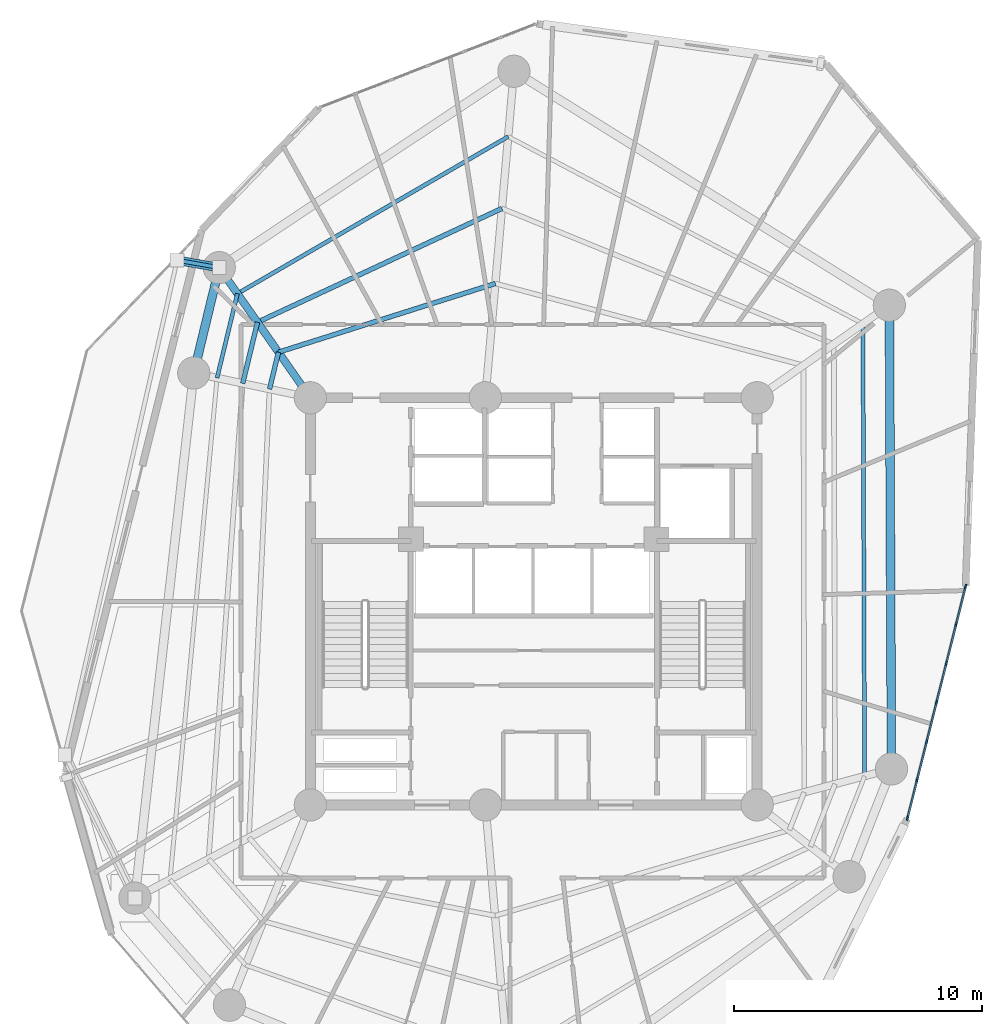
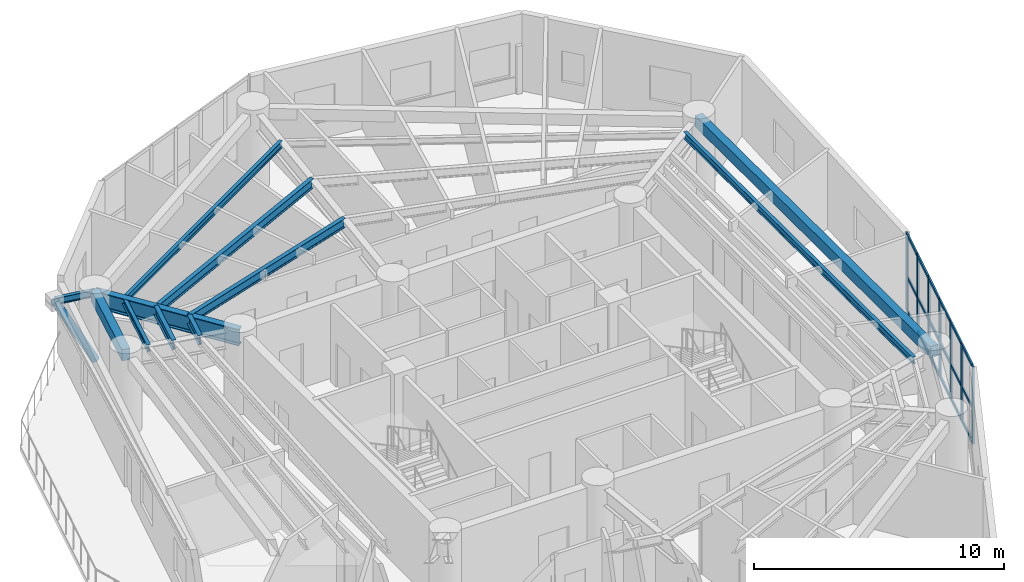
# One storey, part 4 of 14: 26 members, 11 beams, 1 element without a shape of its own.
"""IFC4 building model written with IfcOpenShell, lengths in metres."""

from ifc_helpers import new_model, si_unit, direction, frame, origin, origin_with_axes, origin_2d, place, context, subcontext, project, spatial, rectangle, hollow_circle, i_section, extrude, source, transform, mapped, material, layer, layer_set, material_profile, profile_set, type_object, element, aggregate, save


model = new_model("IFC4")

# Units and contexts
model_context = context("Model", 3, precision=1e-05, world=origin(), true_north=direction((0.0, 1.0)))
body_context = subcontext(model_context, "Body", "Model", "MODEL_VIEW")
ifc_project = project(units=[si_unit("LENGTHUNIT", "METRE"), si_unit("AREAUNIT", "SQUARE_METRE"), si_unit("VOLUMEUNIT", "CUBIC_METRE"), si_unit("PLANEANGLEUNIT", "RADIAN"), si_unit("MASSUNIT", "GRAM", prefix="KILO")], contexts=[model_context])

# Site, building, storey
site_placement = place(None, origin())
site = spatial("IfcSite", under=ifc_project, at=site_placement, CompositionType="ELEMENT")
building_placement = place(site_placement, origin())
building = spatial("IfcBuilding", under=site, at=building_placement, Name="Karkom Vertical University and Central Library", CompositionType="ELEMENT")
storey_placement = place(building_placement, frame((0.0, 0.0, 152.550048828125)))
storey = spatial("IfcBuildingStorey", under=building, at=storey_placement, Name="L43", CompositionType="ELEMENT", Elevation=152.550048828125)

# Beams
ifc_material_1 = material(Name="Steel S355", Category="steel")
ifc_material_profile_1 = material_profile(ifc_material_1, i_section(OverallWidth=0.300048828125, OverallDepth=0.800048828125, WebThickness=0.017578125, FlangeThickness=0.032958984375, FilletRadius=0.030029296875, at=origin_2d()), Name="HE 800 B")
ifc_profile_set_1 = profile_set([ifc_material_profile_1], Name="Steel S355")
beam_type_1 = type_object("IfcBeamType", Name="STR-BM-SB-HE800", PredefinedType="USERDEFINED", material=ifc_profile_set_1)
shared_shape_1 = source(origin_with_axes(), body_context, "Body", "SweptSolid", [
    extrude(i_section(OverallWidth=0.300048828125, OverallDepth=0.800048828125, WebThickness=0.017578125, FlangeThickness=0.032958984375, FilletRadius=0.030029296875, at=origin_2d()), origin(), (0.0, 0.0, 1.0), 6.400390625),
])
beam_1_placement = place(storey_placement, frame((19.5, 34.699951171875, 3.375), z_axis=(-0.573534022273, 0.81918174131, 0.0), x_axis=(-0.81918174131, -0.573534022273, 0.0)))
element("IfcBeam", 1, at=beam_1_placement, inside=storey, type_object=beam_type_1, Name="Level 43 Radial Frame Girder 04", ObjectType="GIRDER", PredefinedType="USERDEFINED", context=body_context, shape_type="MappedRepresentation", body=[
    mapped(shared_shape_1, transform((0.0, 0.0, 0.0), scale=1.0)),
])
ifc_material_2 = material(Name="Precast concrete C45/55", Category="concrete")
ifc_material_profile_2 = material_profile(ifc_material_2, rectangle(XDim=0.35009765625, YDim=0.550048828125, at=origin_2d()), Name="SPB-350x550")
ifc_profile_set_2 = profile_set([ifc_material_profile_2], Name="Precast concrete C45/55")
beam_type_2 = type_object("IfcBeamType", Name="STR-BM-SP-2", PredefinedType="SPANDREL", material=ifc_profile_set_2)
shared_shape_2 = source(origin_with_axes(), body_context, "Body", "SweptSolid", [
    extrude(rectangle(XDim=0.35009765625, YDim=0.550048828125, at=origin_2d()), origin(), (0.0, 0.0, 1.0), 18.67919921875),
])
beam_2_placement = place(storey_placement, frame((42.908935546875, 19.7490234375, 3.5), z_axis=(-0.004548437442, 0.999989655805, 0.0), x_axis=(-0.999989655805, -0.004548437442, 0.0)))
element("IfcBeam", 2, at=beam_2_placement, inside=storey, type_object=beam_type_2, Name="Level 43 Perimeter Spandrel Beam 01", PredefinedType="SPANDREL", context=body_context, shape_type="MappedRepresentation", body=[
    mapped(shared_shape_2, transform((0.0, 0.0, 0.0), scale=1.0)),
])
shared_shape_3 = source(origin_with_axes(), body_context, "Body", "SweptSolid", [
    extrude(rectangle(XDim=0.35009765625, YDim=0.550048828125, at=origin_2d()), origin(), (0.0, 0.0, 1.0), 4.366943359375),
])
beam_3_placement = place(storey_placement, frame((15.8291015625, 39.943115234375, 3.5), z_axis=(-0.234529408772, -0.972109024966, 0.0), x_axis=(0.972109024966, -0.234529408772, 0.0)))
element("IfcBeam", 3, at=beam_3_placement, inside=storey, type_object=beam_type_2, Name="Level 43 Perimeter Spandrel Beam 04", PredefinedType="SPANDREL", context=body_context, shape_type="MappedRepresentation", body=[
    mapped(shared_shape_3, transform((0.0, 0.0, 0.0), scale=1.0)),
])
ifc_material_profile_3 = material_profile(ifc_material_1, i_section(OverallWidth=0.18994140625, OverallDepth=0.449951171875, WebThickness=0.009521484375, FlangeThickness=0.0146484375, FilletRadius=0.02099609375, at=origin_2d()), Name="IPE 450")
ifc_profile_set_3 = profile_set([ifc_material_profile_3], Name="Steel S355")
beam_type_3 = type_object("IfcBeamType", Name="STR-BM-SB-IPE450", PredefinedType="BEAM", material=ifc_profile_set_3)
shared_shape_4 = source(origin_with_axes(), body_context, "Body", "SweptSolid", [
    extrude(i_section(OverallWidth=0.18994140625, OverallDepth=0.449951171875, WebThickness=0.009521484375, FlangeThickness=0.0146484375, FilletRadius=0.02099609375, at=origin_2d()), origin(), (0.0, 0.0, 1.0), 9.1650390625),
])
beam_4_placement = place(storey_placement, frame((26.952392578125, 39.302490234375, 3.550048828125), z_axis=(-0.953318200449, -0.301967562319, 0.0), x_axis=(0.301967562319, -0.953318200449, 0.0)))
element("IfcBeam", 4, at=beam_4_placement, inside=storey, type_object=beam_type_3, Name="Level 43 Secondary Composite Floor Beam 1.03", PredefinedType="BEAM", context=body_context, shape_type="MappedRepresentation", body=[
    mapped(shared_shape_4, transform((0.0, 0.0, 0.0), scale=1.0)),
])
shared_shape_5 = source(origin_with_axes(), body_context, "Body", "SweptSolid", [
    extrude(i_section(OverallWidth=0.18994140625, OverallDepth=0.449951171875, WebThickness=0.009521484375, FlangeThickness=0.0146484375, FilletRadius=0.02099609375, at=origin_2d()), origin(), (0.0, 0.0, 1.0), 1.5283203125),
])
beam_5_placement = place(storey_placement, frame((18.215087890625, 36.534912109375, 3.550048828125), z_axis=(-0.234520804587, -0.972111100757, 0.0), x_axis=(0.972111100757, -0.234520804587, 0.0)))
element("IfcBeam", 5, at=beam_5_placement, inside=storey, type_object=beam_type_3, Name="Level 43 Secondary Composite Floor Beam 1.04", PredefinedType="BEAM", context=body_context, shape_type="MappedRepresentation", body=[
    mapped(shared_shape_5, transform((0.0, 0.0, 0.0), scale=1.0)),
])
shared_shape_6 = source(origin_with_axes(), body_context, "Body", "SweptSolid", [
    extrude(i_section(OverallWidth=0.18994140625, OverallDepth=0.449951171875, WebThickness=0.009521484375, FlangeThickness=0.0146484375, FilletRadius=0.02099609375, at=origin_2d()), origin(), (0.0, 0.0, 1.0), 10.86181640625),
])
beam_6_placement = place(storey_placement, frame((27.217041015625, 42.326904296875, 3.550048828125), z_axis=(-0.90649871419, -0.422208575436, 0.0), x_axis=(0.422208575436, -0.90649871419, 0.0)))
element("IfcBeam", 6, at=beam_6_placement, inside=storey, type_object=beam_type_3, Name="Level 43 Secondary Composite Floor Beam 2.03", PredefinedType="BEAM", context=body_context, shape_type="MappedRepresentation", body=[
    mapped(shared_shape_6, transform((0.0, 0.0, 0.0), scale=1.0)),
])
shared_shape_7 = source(origin_with_axes(), body_context, "Body", "SweptSolid", [
    extrude(i_section(OverallWidth=0.18994140625, OverallDepth=0.449951171875, WebThickness=0.009521484375, FlangeThickness=0.0146484375, FilletRadius=0.02099609375, at=origin_2d()), origin(), (0.0, 0.0, 1.0), 2.53271484375),
])
beam_7_placement = place(storey_placement, frame((17.370849609375, 37.740966796875, 3.550048828125), z_axis=(-0.234521178828, -0.972111010472, 0.0), x_axis=(0.972111010472, -0.234521178828, 0.0)))
element("IfcBeam", 7, at=beam_7_placement, inside=storey, type_object=beam_type_3, Name="Level 43 Secondary Composite Floor Beam 2.04", PredefinedType="BEAM", context=body_context, shape_type="MappedRepresentation", body=[
    mapped(shared_shape_7, transform((0.0, 0.0, 0.0), scale=1.0)),
])
ifc_material_profile_4 = material_profile(ifc_material_1, i_section(OverallWidth=0.159912109375, OverallDepth=0.330078125, WebThickness=0.007568359375, FlangeThickness=0.011474609375, FilletRadius=0.01806640625, at=origin_2d()), Name="IPE 330")
ifc_profile_set_4 = profile_set([ifc_material_profile_4], Name="Steel S355")
beam_type_4 = type_object("IfcBeamType", Name="STR-BM-SB-IPE330", PredefinedType="BEAM", material=ifc_profile_set_4)
shared_shape_8 = source(origin_with_axes(), body_context, "Body", "SweptSolid", [
    extrude(i_section(OverallWidth=0.159912109375, OverallDepth=0.330078125, WebThickness=0.007568359375, FlangeThickness=0.011474609375, FilletRadius=0.01806640625, at=origin_2d()), origin(), (0.0, 0.0, 1.0), 18.223388671875),
])
beam_8_placement = place(storey_placement, frame((41.8271484375, 19.459228515625, 3.60986328125), z_axis=(-0.003724418851, 0.999993064328, 0.0), x_axis=(-0.999993064328, -0.003724418851, 0.0)))
element("IfcBeam", 8, at=beam_8_placement, inside=storey, type_object=beam_type_4, Name="Level 43 Secondary Composite Floor Beam 3.01", PredefinedType="BEAM", context=body_context, shape_type="MappedRepresentation", body=[
    mapped(shared_shape_8, transform((0.0, 0.0, 0.0), scale=1.0)),
])
shared_shape_9 = source(origin_with_axes(), body_context, "Body", "SweptSolid", [
    extrude(i_section(OverallWidth=0.159912109375, OverallDepth=0.330078125, WebThickness=0.007568359375, FlangeThickness=0.011474609375, FilletRadius=0.01806640625, at=origin_2d()), origin(), (0.0, 0.0, 1.0), 12.6083984375),
])
beam_9_placement = place(storey_placement, frame((27.469970703125, 45.219970703125, 3.60986328125), z_axis=(-0.865038920595, -0.50170475965, 0.0), x_axis=(0.50170475965, -0.865038920595, 0.0)))
element("IfcBeam", 9, at=beam_9_placement, inside=storey, type_object=beam_type_4, Name="Level 43 Secondary Composite Floor Beam 3.03", PredefinedType="BEAM", context=body_context, shape_type="MappedRepresentation", body=[
    mapped(shared_shape_9, transform((0.0, 0.0, 0.0), scale=1.0)),
])
shared_shape_10 = source(origin_with_axes(), body_context, "Body", "SweptSolid", [
    extrude(i_section(OverallWidth=0.159912109375, OverallDepth=0.330078125, WebThickness=0.007568359375, FlangeThickness=0.011474609375, FilletRadius=0.01806640625, at=origin_2d()), origin(), (0.0, 0.0, 1.0), 3.493408203125),
])
beam_10_placement = place(storey_placement, frame((16.563232421875, 38.894287109375, 3.60986328125), z_axis=(-0.234535781995, -0.972107487351, 0.0), x_axis=(0.972107487351, -0.234535781995, 0.0)))
element("IfcBeam", 10, at=beam_10_placement, inside=storey, type_object=beam_type_4, Name="Level 43 Secondary Composite Floor Beam 3.04", PredefinedType="BEAM", context=body_context, shape_type="MappedRepresentation", body=[
    mapped(shared_shape_10, transform((0.0, 0.0, 0.0), scale=1.0)),
])
shared_shape_11 = source(origin_with_axes(), body_context, "Body", "SweptSolid", [
    extrude(i_section(OverallWidth=0.159912109375, OverallDepth=0.330078125, WebThickness=0.007568359375, FlangeThickness=0.011474609375, FilletRadius=0.01806640625, at=origin_2d()), origin(), (0.0, 0.0, 1.0), 1.719970703125),
])
beam_11_placement = place(storey_placement, frame((15.8291015625, 39.943115234375, 3.60986328125), z_axis=(-0.985042515188, 0.172311471677, 0.0), x_axis=(-0.172311471677, -0.985042515188, 0.0)))
element("IfcBeam", 11, at=beam_11_placement, inside=storey, type_object=beam_type_4, Name="Level 43 Sky Garden Outrigger Support Beam 1", PredefinedType="BEAM", context=body_context, shape_type="MappedRepresentation", body=[
    mapped(shared_shape_11, transform((0.0, 0.0, 0.0), scale=1.0)),
])

# Member
ifc_material_profile_5 = material_profile(ifc_material_1, hollow_circle(Radius=0.177734375, WallThickness=0.01611328125, at=origin_2d()), Name="CHS 355.6x16")
ifc_profile_set_5 = profile_set([ifc_material_profile_5], Name="Steel S355")
member_type_1 = type_object("IfcMemberType", Name="STR-MEM-BR-3", PredefinedType="BRACE", material=ifc_profile_set_5)
shared_shape_12 = source(origin_with_axes(), body_context, "Body", "SweptSolid", [
    extrude(hollow_circle(Radius=0.177734375, WallThickness=0.01611328125, at=origin_2d()), origin(), (0.0, 0.0, 1.0), 3.68603515625),
])
member_1_placement = place(storey_placement, frame((15.8291015625, 39.943115234375, 0.349853515625), z_axis=(-0.459673210157, 0.080409694111, 0.884440399889), x_axis=(-0.172311471677, -0.985042515188, 0.0)))
element("IfcMember", 12, at=member_1_placement, inside=storey, type_object=member_type_1, Name="Level 43 Sky Garden Knee Strut Brace 1", PredefinedType="BRACE", context=body_context, shape_type="MappedRepresentation", body=[
    mapped(shared_shape_12, transform((0.0, 0.0, 0.0), scale=1.0)),
])

# Curtain wall, members
ifc_material_3 = material(Name="Aluminium curtain-wall framing and low-E IGU", Category="aluminium")
ifc_layer = layer(ifc_material_3, 0.199951171875)
ifc_layer_set = layer_set([ifc_layer], Name="Aluminium curtain-wall framing and low-E IGU")
curtain_wall_type = type_object("IfcCurtainWallType", Name="ENV-CW-5", PredefinedType="USERDEFINED", material=ifc_layer_set)
curtain_wall_placement = place(storey_placement, origin())
curtain_wall = element("IfcCurtainWall", 13, at=curtain_wall_placement, inside=storey, type_object=curtain_wall_type, Name="Level 43 CW-5 Curtain Wall L43-CW5-06", ObjectType="UNITISED GLAZING", PredefinedType="USERDEFINED")
ifc_material_4 = material(Name="Anodised Aluminium 6063-T6", Category="aluminium")
ifc_material_profile_6 = material_profile(ifc_material_4, rectangle(XDim=0.070068359375, YDim=0.199951171875, at=origin_2d()), Name="ALU-M70x200")
ifc_profile_set_6 = profile_set([ifc_material_profile_6], Name="Anodised Aluminium 6063-T6")
member_type_2 = type_object("IfcMemberType", Name="ENV-MEM-ALU-M70x200", PredefinedType="MULLION", material=ifc_profile_set_6)
shared_shape_13 = source(origin_with_axes(), body_context, "Body", "SweptSolid", [
    extrude(rectangle(XDim=0.070068359375, YDim=0.199951171875, at=origin_2d()), origin(), (0.0, 0.0, 1.0), 3.77490234375),
])
member_2_placement = place(storey_placement, frame((43.556640625, 17.773193359375, 0.0), z_axis=(0.0, 0.0, 1.0), x_axis=(-0.969956133882, 0.243279876572, 0.0)))
member_2 = element("IfcMember", 14, at=member_2_placement, type_object=member_type_2, Name="CW-5 mullion 1", PredefinedType="MULLION", context=body_context, shape_type="MappedRepresentation", body=[
    mapped(shared_shape_13, transform((0.0, 0.0, 0.0), scale=1.0)),
])
member_3_placement = place(storey_placement, frame((43.9404296875, 19.302978515625, 0.0), z_axis=(0.0, 0.0, 1.0), x_axis=(-0.969956133882, 0.243279876572, 0.0)))
member_3 = element("IfcMember", 15, at=member_3_placement, type_object=member_type_2, Name="CW-5 mullion 2", PredefinedType="MULLION", context=body_context, shape_type="MappedRepresentation", body=[
    mapped(shared_shape_13, transform((0.0, 0.0, 0.0), scale=1.0)),
])
member_4_placement = place(storey_placement, frame((44.33251953125, 20.866943359375, 0.0), z_axis=(0.0, 0.0, 1.0), x_axis=(-0.969956133882, 0.243279876572, 0.0)))
member_4 = element("IfcMember", 16, at=member_4_placement, type_object=member_type_2, Name="CW-5 mullion 3", PredefinedType="MULLION", context=body_context, shape_type="MappedRepresentation", body=[
    mapped(shared_shape_13, transform((0.0, 0.0, 0.0), scale=1.0)),
])
member_5_placement = place(storey_placement, frame((44.724853515625, 22.4306640625, 0.0), z_axis=(0.0, 0.0, 1.0), x_axis=(-0.969956133882, 0.243279876572, 0.0)))
member_5 = element("IfcMember", 17, at=member_5_placement, type_object=member_type_2, Name="CW-5 mullion 4", PredefinedType="MULLION", context=body_context, shape_type="MappedRepresentation", body=[
    mapped(shared_shape_13, transform((0.0, 0.0, 0.0), scale=1.0)),
])
member_6_placement = place(storey_placement, frame((45.1171875, 23.994384765625, 0.0), z_axis=(0.0, 0.0, 1.0), x_axis=(-0.969956133882, 0.243279876572, 0.0)))
member_6 = element("IfcMember", 18, at=member_6_placement, type_object=member_type_2, Name="CW-5 mullion 5", PredefinedType="MULLION", context=body_context, shape_type="MappedRepresentation", body=[
    mapped(shared_shape_13, transform((0.0, 0.0, 0.0), scale=1.0)),
])
member_7_placement = place(storey_placement, frame((45.50927734375, 25.55810546875, 0.0), z_axis=(0.0, 0.0, 1.0), x_axis=(-0.969956133882, 0.243279876572, 0.0)))
member_7 = element("IfcMember", 19, at=member_7_placement, type_object=member_type_2, Name="CW-5 mullion 6", PredefinedType="MULLION", context=body_context, shape_type="MappedRepresentation", body=[
    mapped(shared_shape_13, transform((0.0, 0.0, 0.0), scale=1.0)),
])
member_8_placement = place(storey_placement, frame((45.89306640625, 27.087890625, 0.0), z_axis=(0.0, 0.0, 1.0), x_axis=(-0.969956133882, 0.243279876572, 0.0)))
member_8 = element("IfcMember", 20, at=member_8_placement, type_object=member_type_2, Name="CW-5 mullion 7", PredefinedType="MULLION", context=body_context, shape_type="MappedRepresentation", body=[
    mapped(shared_shape_13, transform((0.0, 0.0, 0.0), scale=1.0)),
])
ifc_material_profile_7 = material_profile(ifc_material_4, rectangle(XDim=0.070068359375, YDim=0.14990234375, at=origin_2d()), Name="ALU-T70x150")
ifc_profile_set_7 = profile_set([ifc_material_profile_7], Name="Anodised Aluminium 6063-T6")
member_type_3 = type_object("IfcMemberType", Name="ENV-MEM-ALU-T70x150", PredefinedType="USERDEFINED", material=ifc_profile_set_7)
shared_shape_14 = source(origin_with_axes(), body_context, "Body", "SweptSolid", [
    extrude(rectangle(XDim=0.070068359375, YDim=0.14990234375, at=origin_2d()), origin(), (0.0, 0.0, 1.0), 1.50732421875),
])
member_9_placement = place(storey_placement, frame((43.565185546875, 17.80712890625, 0.034912109375), z_axis=(0.243297821089, 0.969951632945, 0.0), x_axis=(-0.969951632945, 0.243297821089, 0.0)))
member_9 = element("IfcMember", 21, at=member_9_placement, type_object=member_type_3, Name="CW-5 transom 1.1", ObjectType="TRANSOM", PredefinedType="USERDEFINED", context=body_context, shape_type="MappedRepresentation", body=[
    mapped(shared_shape_14, transform((0.0, 0.0, 0.0), scale=1.0)),
])
member_10_placement = place(storey_placement, frame((43.565185546875, 17.80712890625, 1.69873046875), z_axis=(0.243297821089, 0.969951632945, 0.0), x_axis=(-0.969951632945, 0.243297821089, 0.0)))
member_10 = element("IfcMember", 22, at=member_10_placement, type_object=member_type_3, Name="CW-5 transom 1.2", ObjectType="TRANSOM", PredefinedType="USERDEFINED", context=body_context, shape_type="MappedRepresentation", body=[
    mapped(shared_shape_14, transform((0.0, 0.0, 0.0), scale=1.0)),
])
member_11_placement = place(storey_placement, frame((43.565185546875, 17.80712890625, 3.739990234375), z_axis=(0.243297821089, 0.969951632945, 0.0), x_axis=(-0.969951632945, 0.243297821089, 0.0)))
member_11 = element("IfcMember", 23, at=member_11_placement, type_object=member_type_3, Name="CW-5 transom 1.3", ObjectType="TRANSOM", PredefinedType="USERDEFINED", context=body_context, shape_type="MappedRepresentation", body=[
    mapped(shared_shape_14, transform((0.0, 0.0, 0.0), scale=1.0)),
])
member_12_placement = place(storey_placement, frame((45.517822265625, 25.592041015625, 0.034912109375), z_axis=(0.243297821089, 0.969951632945, 0.0), x_axis=(-0.969951632945, 0.243297821089, 0.0)))
member_12 = element("IfcMember", 24, at=member_12_placement, type_object=member_type_3, Name="CW-5 transom 6.1", ObjectType="TRANSOM", PredefinedType="USERDEFINED", context=body_context, shape_type="MappedRepresentation", body=[
    mapped(shared_shape_14, transform((0.0, 0.0, 0.0), scale=1.0)),
])
member_13_placement = place(storey_placement, frame((45.517822265625, 25.592041015625, 1.69873046875), z_axis=(0.243297821089, 0.969951632945, 0.0), x_axis=(-0.969951632945, 0.243297821089, 0.0)))
member_13 = element("IfcMember", 25, at=member_13_placement, type_object=member_type_3, Name="CW-5 transom 6.2", ObjectType="TRANSOM", PredefinedType="USERDEFINED", context=body_context, shape_type="MappedRepresentation", body=[
    mapped(shared_shape_14, transform((0.0, 0.0, 0.0), scale=1.0)),
])
member_14_placement = place(storey_placement, frame((45.517822265625, 25.592041015625, 3.739990234375), z_axis=(0.243297821089, 0.969951632945, 0.0), x_axis=(-0.969951632945, 0.243297821089, 0.0)))
member_14 = element("IfcMember", 26, at=member_14_placement, type_object=member_type_3, Name="CW-5 transom 6.3", ObjectType="TRANSOM", PredefinedType="USERDEFINED", context=body_context, shape_type="MappedRepresentation", body=[
    mapped(shared_shape_14, transform((0.0, 0.0, 0.0), scale=1.0)),
])
shared_shape_15 = source(origin_with_axes(), body_context, "Body", "SweptSolid", [
    extrude(rectangle(XDim=0.070068359375, YDim=0.14990234375, at=origin_2d()), origin(), (0.0, 0.0, 1.0), 1.542236328125),
])
member_15_placement = place(storey_placement, frame((43.948974609375, 19.3369140625, 0.034912109375), z_axis=(0.243317768732, 0.96994662916, 0.0), x_axis=(-0.96994662916, 0.243317768732, 0.0)))
member_15 = element("IfcMember", 27, at=member_15_placement, type_object=member_type_3, Name="CW-5 transom 2.1", ObjectType="TRANSOM", PredefinedType="USERDEFINED", context=body_context, shape_type="MappedRepresentation", body=[
    mapped(shared_shape_15, transform((0.0, 0.0, 0.0), scale=1.0)),
])
member_16_placement = place(storey_placement, frame((43.948974609375, 19.3369140625, 1.69873046875), z_axis=(0.243317768732, 0.96994662916, 0.0), x_axis=(-0.96994662916, 0.243317768732, 0.0)))
member_16 = element("IfcMember", 28, at=member_16_placement, type_object=member_type_3, Name="CW-5 transom 2.2", ObjectType="TRANSOM", PredefinedType="USERDEFINED", context=body_context, shape_type="MappedRepresentation", body=[
    mapped(shared_shape_15, transform((0.0, 0.0, 0.0), scale=1.0)),
])
member_17_placement = place(storey_placement, frame((43.948974609375, 19.3369140625, 3.739990234375), z_axis=(0.243317768732, 0.96994662916, 0.0), x_axis=(-0.96994662916, 0.243317768732, 0.0)))
member_17 = element("IfcMember", 29, at=member_17_placement, type_object=member_type_3, Name="CW-5 transom 2.3", ObjectType="TRANSOM", PredefinedType="USERDEFINED", context=body_context, shape_type="MappedRepresentation", body=[
    mapped(shared_shape_15, transform((0.0, 0.0, 0.0), scale=1.0)),
])
member_18_placement = place(storey_placement, frame((44.341064453125, 20.90087890625, 0.034912109375), z_axis=(0.243317768732, 0.96994662916, 0.0), x_axis=(-0.96994662916, 0.243317768732, 0.0)))
member_18 = element("IfcMember", 30, at=member_18_placement, type_object=member_type_3, Name="CW-5 transom 3.1", ObjectType="TRANSOM", PredefinedType="USERDEFINED", context=body_context, shape_type="MappedRepresentation", body=[
    mapped(shared_shape_15, transform((0.0, 0.0, 0.0), scale=1.0)),
])
member_19_placement = place(storey_placement, frame((44.341064453125, 20.90087890625, 1.69873046875), z_axis=(0.243317768732, 0.96994662916, 0.0), x_axis=(-0.96994662916, 0.243317768732, 0.0)))
member_19 = element("IfcMember", 31, at=member_19_placement, type_object=member_type_3, Name="CW-5 transom 3.2", ObjectType="TRANSOM", PredefinedType="USERDEFINED", context=body_context, shape_type="MappedRepresentation", body=[
    mapped(shared_shape_15, transform((0.0, 0.0, 0.0), scale=1.0)),
])
member_20_placement = place(storey_placement, frame((44.341064453125, 20.90087890625, 3.739990234375), z_axis=(0.243317768732, 0.96994662916, 0.0), x_axis=(-0.96994662916, 0.243317768732, 0.0)))
member_20 = element("IfcMember", 32, at=member_20_placement, type_object=member_type_3, Name="CW-5 transom 3.3", ObjectType="TRANSOM", PredefinedType="USERDEFINED", context=body_context, shape_type="MappedRepresentation", body=[
    mapped(shared_shape_15, transform((0.0, 0.0, 0.0), scale=1.0)),
])
member_21_placement = place(storey_placement, frame((44.7333984375, 22.464599609375, 0.034912109375), z_axis=(0.243317768732, 0.96994662916, 0.0), x_axis=(-0.96994662916, 0.243317768732, 0.0)))
member_21 = element("IfcMember", 33, at=member_21_placement, type_object=member_type_3, Name="CW-5 transom 4.1", ObjectType="TRANSOM", PredefinedType="USERDEFINED", context=body_context, shape_type="MappedRepresentation", body=[
    mapped(shared_shape_15, transform((0.0, 0.0, 0.0), scale=1.0)),
])
member_22_placement = place(storey_placement, frame((44.7333984375, 22.464599609375, 1.69873046875), z_axis=(0.243317768732, 0.96994662916, 0.0), x_axis=(-0.96994662916, 0.243317768732, 0.0)))
member_22 = element("IfcMember", 34, at=member_22_placement, type_object=member_type_3, Name="CW-5 transom 4.2", ObjectType="TRANSOM", PredefinedType="USERDEFINED", context=body_context, shape_type="MappedRepresentation", body=[
    mapped(shared_shape_15, transform((0.0, 0.0, 0.0), scale=1.0)),
])
member_23_placement = place(storey_placement, frame((44.7333984375, 22.464599609375, 3.739990234375), z_axis=(0.243317768732, 0.96994662916, 0.0), x_axis=(-0.96994662916, 0.243317768732, 0.0)))
member_23 = element("IfcMember", 35, at=member_23_placement, type_object=member_type_3, Name="CW-5 transom 4.3", ObjectType="TRANSOM", PredefinedType="USERDEFINED", context=body_context, shape_type="MappedRepresentation", body=[
    mapped(shared_shape_15, transform((0.0, 0.0, 0.0), scale=1.0)),
])
member_24_placement = place(storey_placement, frame((45.12548828125, 24.0283203125, 0.034912109375), z_axis=(0.243317768732, 0.96994662916, 0.0), x_axis=(-0.96994662916, 0.243317768732, 0.0)))
member_24 = element("IfcMember", 36, at=member_24_placement, type_object=member_type_3, Name="CW-5 transom 5.1", ObjectType="TRANSOM", PredefinedType="USERDEFINED", context=body_context, shape_type="MappedRepresentation", body=[
    mapped(shared_shape_15, transform((0.0, 0.0, 0.0), scale=1.0)),
])
member_25_placement = place(storey_placement, frame((45.12548828125, 24.0283203125, 1.69873046875), z_axis=(0.243317768732, 0.96994662916, 0.0), x_axis=(-0.96994662916, 0.243317768732, 0.0)))
member_25 = element("IfcMember", 37, at=member_25_placement, type_object=member_type_3, Name="CW-5 transom 5.2", ObjectType="TRANSOM", PredefinedType="USERDEFINED", context=body_context, shape_type="MappedRepresentation", body=[
    mapped(shared_shape_15, transform((0.0, 0.0, 0.0), scale=1.0)),
])
member_26_placement = place(storey_placement, frame((45.12548828125, 24.0283203125, 3.739990234375), z_axis=(0.243317768732, 0.96994662916, 0.0), x_axis=(-0.96994662916, 0.243317768732, 0.0)))
member_26 = element("IfcMember", 38, at=member_26_placement, type_object=member_type_3, Name="CW-5 transom 5.3", ObjectType="TRANSOM", PredefinedType="USERDEFINED", context=body_context, shape_type="MappedRepresentation", body=[
    mapped(shared_shape_15, transform((0.0, 0.0, 0.0), scale=1.0)),
])
aggregate(curtain_wall, [member_2, member_3, member_4, member_5, member_6, member_7, member_8, member_9, member_10, member_11, member_15, member_16, member_17, member_18, member_19, member_20, member_21, member_22, member_23, member_24, member_25, member_26, member_12, member_13, member_14])

save(model, "model.ifc")
